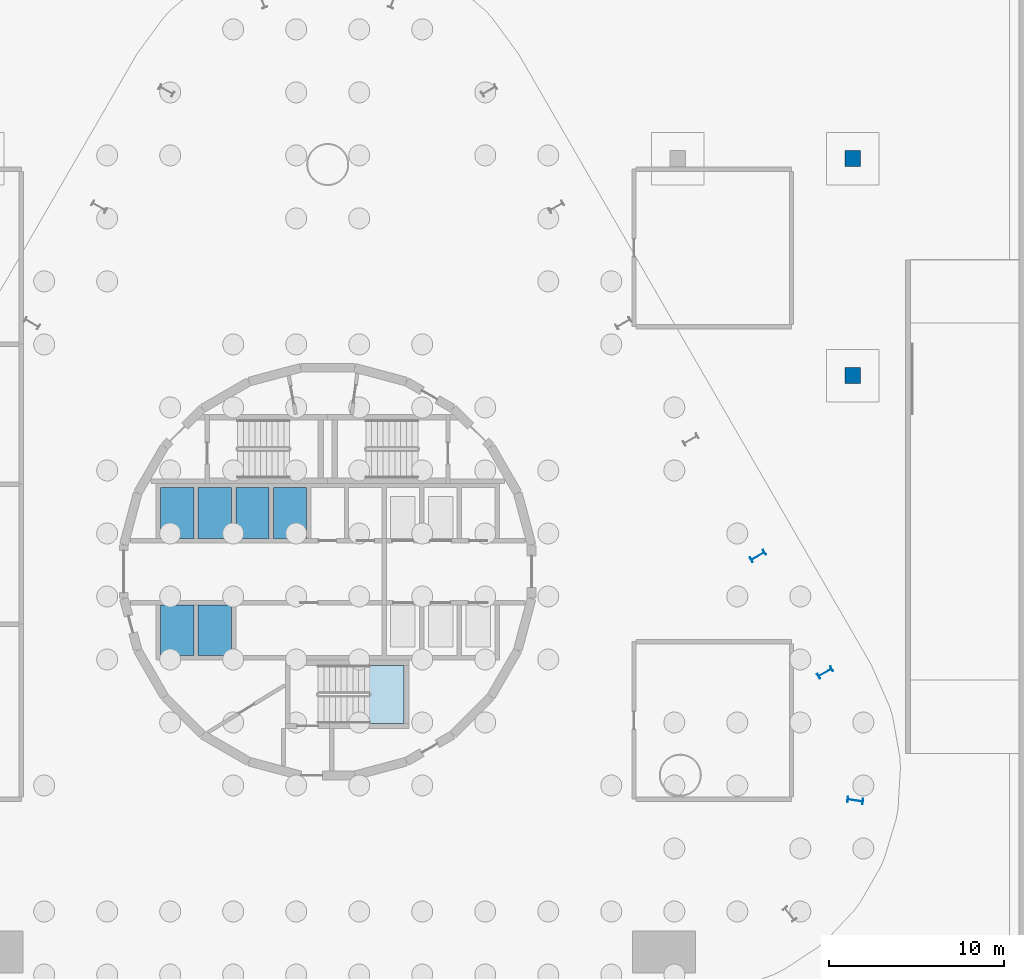
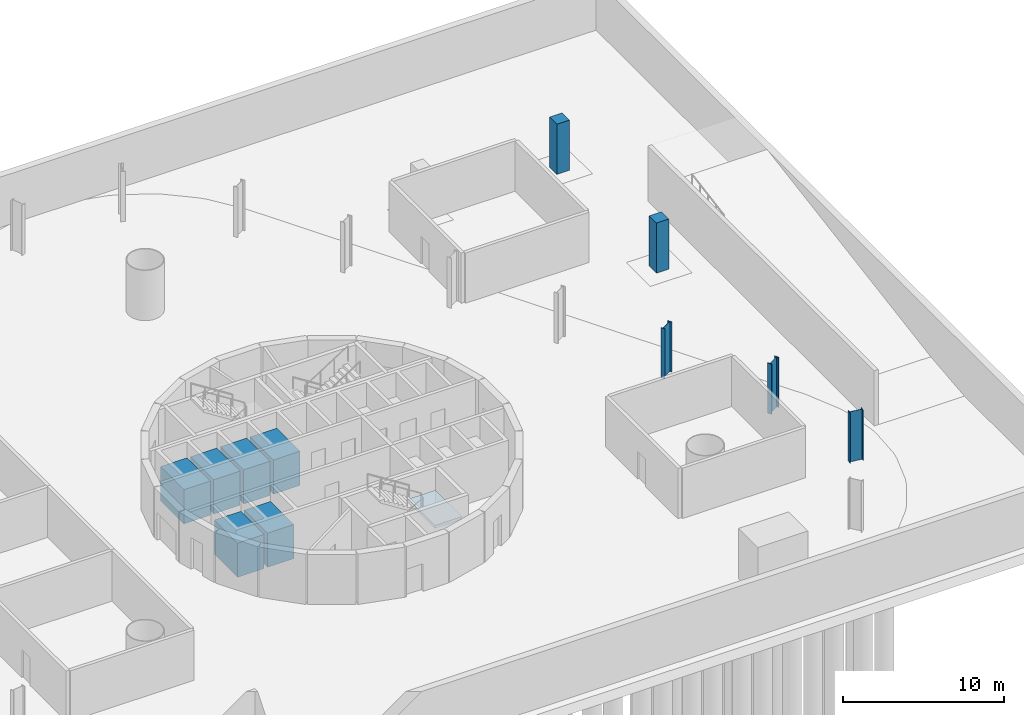
# One storey, part 3 of 11: 7 slabs, 5 columns, 1 element without a shape of its own.
"""IFC4 building model written with IfcOpenShell, lengths in metres."""

from ifc_helpers import new_model, si_unit, direction, frame, origin, origin_2d, place, context, subcontext, project, spatial, polyline, rectangle, i_section, outline, extrude, material, layer, layer_set, material_profile, profile_set, type_object, element, aggregate, save


model = new_model("IFC4")

# Units and contexts
model_context = context("Model", 3, precision=1e-05, world=origin(), true_north=direction((0.0, 1.0)))
body_context = subcontext(model_context, "Body", "Model", "MODEL_VIEW")
ifc_project = project(units=[si_unit("LENGTHUNIT", "METRE"), si_unit("AREAUNIT", "SQUARE_METRE"), si_unit("VOLUMEUNIT", "CUBIC_METRE"), si_unit("PLANEANGLEUNIT", "RADIAN"), si_unit("MASSUNIT", "GRAM", prefix="KILO")], contexts=[model_context])

# Site, building, storey
site_placement = place(None, origin())
site = spatial("IfcSite", under=ifc_project, at=site_placement, CompositionType="ELEMENT")
building_placement = place(site_placement, origin())
building = spatial("IfcBuilding", under=site, at=building_placement, Name="Spindle Arch Residences", CompositionType="ELEMENT")
storey_placement = place(building_placement, frame((0.0, 0.0, -8.39990234375)))
storey = spatial("IfcBuildingStorey", under=building, at=storey_placement, Name="B2", CompositionType="ELEMENT", Elevation=-8.39990234375)

# Columns
ifc_material_1 = material(Name="Concrete C50/60", Category="concrete")
ifc_material_profile_1 = material_profile(ifc_material_1, rectangle(XDim=0.89990234375, YDim=0.89990234375, at=origin_2d()), Name="RC 900x900")
ifc_profile_set_1 = profile_set([ifc_material_profile_1], Name="Concrete C50/60")
column_type_1 = type_object("IfcColumnType", Name="Basement column RC 900x900", PredefinedType="COLUMN", material=ifc_profile_set_1)
for number, where, z_axis, x_axis, name in (
    (1, (30.0, 11.199951171875, 0.0), (0.0, 0.0, 1.0), (1.0, 0.0, 0.0), "Basement column 004"),
    (2, (30.0, 23.60009765625, 0.0), (0.0, 0.0, 1.0), (1.0, 0.0, 0.0), "Basement column 005"),
):
    element("IfcColumn", number, at=place(storey_placement, frame(where, z_axis=z_axis, x_axis=x_axis)), inside=storey, type_object=column_type_1, Name=name, PredefinedType="COLUMN", context=body_context, shape_type="SweptSolid", body=[
        extrude(rectangle(XDim=0.89990234375, YDim=0.89990234375, at=origin_2d()), origin(), (0.0, 0.0, 1.0), 3.81982421875),
    ])
ifc_material_2 = material(Name="Steel S460ML, intumescent coating R 240", Category="steel")
ifc_material_profile_2 = material_profile(ifc_material_2, i_section(OverallWidth=0.300048828125, OverallDepth=0.89990234375, WebThickness=0.0185546875, FlangeThickness=0.034912109375, FilletRadius=0.030029296875, at=origin_2d()), Name="HEB 900")
ifc_profile_set_2 = profile_set([ifc_material_profile_2], Name="Steel S460ML, intumescent coating R 240")
column_type_2 = type_object("IfcColumnType", Name="Exoskeleton post HEB 900", PredefinedType="COLUMN", material=ifc_profile_set_2)
for number, where, z_axis, x_axis, name in (
    (3, (30.139892578125, -13.0732421875, 0.0), (0.0, 0.0, 1.0), (-0.142906037553, -0.989736260036, 0.0), "Exoskeleton post 5"),
    (4, (28.418701171875, -5.762939453125, 0.0), (0.0, 0.0, 1.0), (0.50000017485, -0.866025302835, 0.0), "Exoskeleton post 6"),
    (5, (24.57861328125, 0.88818359375, 0.0), (0.0, 0.0, 1.0), (0.50000017485, -0.866025302835, 0.0), "Exoskeleton post 7"),
):
    element("IfcColumn", number, at=place(storey_placement, frame(where, z_axis=z_axis, x_axis=x_axis)), inside=storey, type_object=column_type_2, Name=name, PredefinedType="COLUMN", context=body_context, shape_type="SweptSolid", body=[
        extrude(i_section(OverallWidth=0.300048828125, OverallDepth=0.89990234375, WebThickness=0.0185546875, FlangeThickness=0.034912109375, FilletRadius=0.030029296875, at=origin_2d()), origin(), (0.0, 0.0, 1.0), 3.81982421875),
    ])

# Stair, slab
ifc_material_3 = material(Name="Concrete C50/60", Category="concrete")
stair_type = type_object("IfcStairType", Name="Exit stair 20 risers", PredefinedType="HALF_TURN_STAIR", material=ifc_material_3)
stair_placement = place(storey_placement, origin())
stair = element("IfcStair", 6, at=stair_placement, inside=storey, type_object=stair_type, Name="B2 Exit stair ST3", PredefinedType="HALF_TURN_STAIR")
ifc_material_4 = material(Name="Concrete C50/60", Category="concrete")
ifc_layer_1 = layer(ifc_material_4, 0.219970703125)
ifc_layer_set_1 = layer_set([ifc_layer_1], Name="Exit stair landing 220")
slab_type_1 = type_object("IfcSlabType", Name="Exit stair landing 220", PredefinedType="LANDING", material=ifc_layer_set_1)
slab_1_placement = place(storey_placement, frame((0.0, 0.0, 1.8798828125)))
slab_1 = element("IfcSlab", 7, at=slab_1_placement, type_object=slab_type_1, Name="ST3 landing 1", PredefinedType="LANDING", context=body_context, shape_type="SweptSolid", body=[
    extrude(outline(polyline([(2.39990234375, -8.669921875), (4.35009765625, -8.669921875), (4.35009765625, -5.35009765625), (2.39990234375, -5.35009765625), (2.39990234375, -8.669921875)])), origin(), (0.0, 0.0, 1.0), 0.219970703125),
])
aggregate(stair, [slab_1])

# Slabs
ifc_material_5 = material(Name="Concrete C50/60", Category="concrete")
ifc_layer_2 = layer(ifc_material_5, 2.60009765625)
ifc_layer_set_2 = layer_set([ifc_layer_2], Name="Lift pit floor slab")
slab_type_2 = type_object("IfcSlabType", Name="Lift pit floor slab", PredefinedType="FLOOR", material=ifc_layer_set_2)
slab_2_placement = place(storey_placement, origin())
element("IfcSlab", 8, at=slab_2_placement, inside=storey, type_object=slab_type_2, Name="Lift pit floor L1", PredefinedType="FLOOR", context=body_context, shape_type="SweptSolid", body=[
    extrude(outline(polyline([(-9.550048828125, 1.89990234375), (-7.64990234375, 1.89990234375), (-7.64990234375, 4.800048828125), (-9.550048828125, 4.800048828125), (-9.550048828125, 1.89990234375)])), origin(), (0.0, 0.0, 1.0), 2.599853515625),
])
slab_3_placement = place(storey_placement, origin())
element("IfcSlab", 9, at=slab_3_placement, inside=storey, type_object=slab_type_2, Name="Lift pit floor L2", PredefinedType="FLOOR", context=body_context, shape_type="SweptSolid", body=[
    extrude(outline(polyline([(-7.39990234375, 1.89990234375), (-5.5, 1.89990234375), (-5.5, 4.800048828125), (-7.39990234375, 4.800048828125), (-7.39990234375, 1.89990234375)])), origin(), (0.0, 0.0, 1.0), 2.599853515625),
])
slab_4_placement = place(storey_placement, origin())
element("IfcSlab", 10, at=slab_4_placement, inside=storey, type_object=slab_type_2, Name="Lift pit floor L3", PredefinedType="FLOOR", context=body_context, shape_type="SweptSolid", body=[
    extrude(outline(polyline([(-5.25, 1.89990234375), (-3.35009765625, 1.89990234375), (-3.35009765625, 4.800048828125), (-5.25, 4.800048828125), (-5.25, 1.89990234375)])), origin(), (0.0, 0.0, 1.0), 2.599853515625),
])
slab_5_placement = place(storey_placement, origin())
element("IfcSlab", 11, at=slab_5_placement, inside=storey, type_object=slab_type_2, Name="Lift pit floor L4", PredefinedType="FLOOR", context=body_context, shape_type="SweptSolid", body=[
    extrude(outline(polyline([(-3.10009765625, 1.89990234375), (-1.199951171875, 1.89990234375), (-1.199951171875, 4.800048828125), (-3.10009765625, 4.800048828125), (-3.10009765625, 1.89990234375)])), origin(), (0.0, 0.0, 1.0), 2.599853515625),
])
slab_6_placement = place(storey_placement, origin())
element("IfcSlab", 12, at=slab_6_placement, inside=storey, type_object=slab_type_2, Name="Lift pit floor SH1", PredefinedType="FLOOR", context=body_context, shape_type="SweptSolid", body=[
    extrude(outline(polyline([(-9.550048828125, -4.800048828125), (-7.64990234375, -4.800048828125), (-7.64990234375, -1.89990234375), (-9.550048828125, -1.89990234375), (-9.550048828125, -4.800048828125)])), origin(), (0.0, 0.0, 1.0), 2.599853515625),
])
slab_7_placement = place(storey_placement, origin())
element("IfcSlab", 13, at=slab_7_placement, inside=storey, type_object=slab_type_2, Name="Lift pit floor SH2", PredefinedType="FLOOR", context=body_context, shape_type="SweptSolid", body=[
    extrude(outline(polyline([(-7.39990234375, -4.800048828125), (-5.5, -4.800048828125), (-5.5, -1.89990234375), (-7.39990234375, -1.89990234375), (-7.39990234375, -4.800048828125)])), origin(), (0.0, 0.0, 1.0), 2.599853515625),
])

save(model, "model.ifc")
